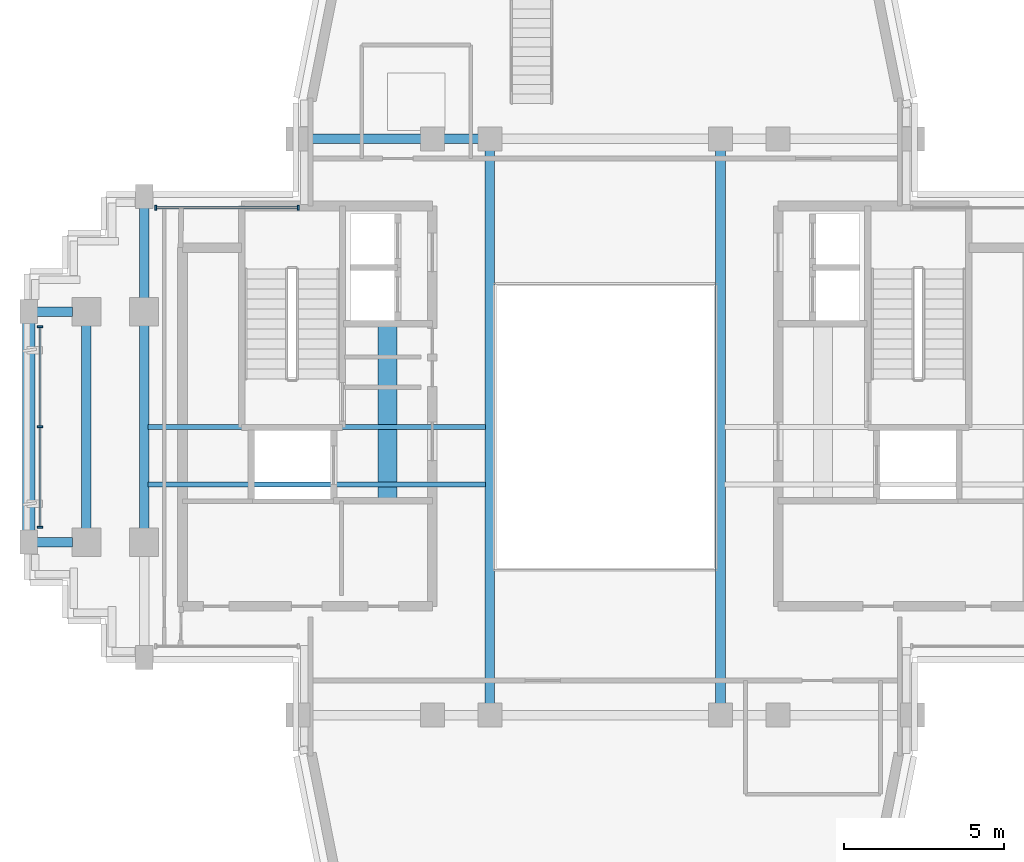
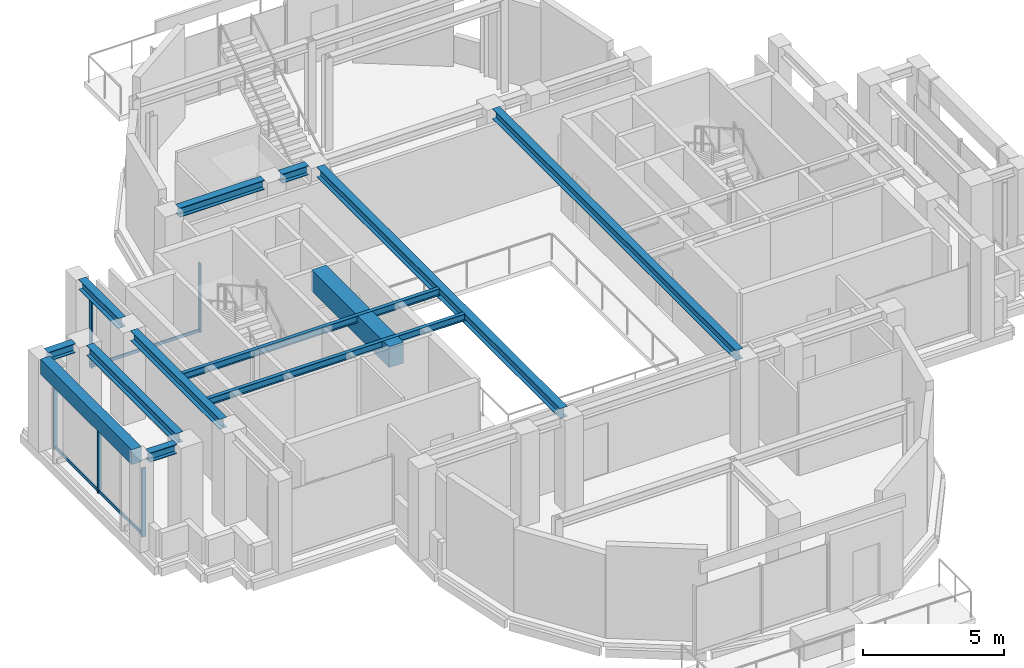
# One storey, part 4 of 14: 13 beams, 8 members, 2 elements without a shape of their own.
"""IFC4 building model written with IfcOpenShell, lengths in metres."""

from ifc_helpers import new_model, si_unit, direction, frame, origin, origin_2d, place, context, subcontext, project, spatial, rectangle, i_section, extrude, source, transform, mapped, material, material_profile, profile_set, type_object, element, aggregate, save


model = new_model("IFC4")

# Units and contexts
model_context = context("Model", 3, precision=1e-05, world=origin(), true_north=direction((0.0, 1.0)))
body_context = subcontext(model_context, "Body", "Model", "MODEL_VIEW")
ifc_project = project(units=[si_unit("LENGTHUNIT", "METRE"), si_unit("AREAUNIT", "SQUARE_METRE"), si_unit("VOLUMEUNIT", "CUBIC_METRE"), si_unit("PLANEANGLEUNIT", "RADIAN"), si_unit("MASSUNIT", "GRAM", prefix="KILO")], contexts=[model_context])

# Site, building, storey
site_placement = place(None, origin())
site = spatial("IfcSite", under=ifc_project, at=site_placement, CompositionType="ELEMENT")
building_placement = place(site_placement, origin())
building = spatial("IfcBuilding", under=site, at=building_placement, Name="Keilestroom Media Tower", CompositionType="ELEMENT")
storey_placement = place(building_placement, frame((0.0, 0.0, 219.39990234375)))
storey = spatial("IfcBuildingStorey", under=building, at=storey_placement, Name="L60", CompositionType="ELEMENT", Elevation=219.39990234375)

# Beams
ifc_material_1 = material(Name="Concrete C70/85", Category="concrete")
ifc_material_profile_1 = material_profile(ifc_material_1, rectangle(XDim=0.60009765625, YDim=0.89990234375, at=origin_2d()), Name="RC 600x900")
ifc_profile_set_1 = profile_set([ifc_material_profile_1], Name="Concrete C70/85")
beam_type_1 = type_object("IfcBeamType", Name="Core-Coupling-Lintel-Beam-RC-600x900", PredefinedType="LINTEL", material=ifc_profile_set_1)
shared_shape_1 = source(origin(), body_context, "Body", "SweptSolid", [
    extrude(rectangle(XDim=0.60009765625, YDim=0.89990234375, at=origin_2d()), origin(), (0.0, 0.0, 1.0), 5.52001953125),
])
beam_1_placement = place(storey_placement, frame((-6.800048828125, -2.300048828125, 3.56005859375), z_axis=(0.0, 1.0, 0.0), x_axis=(-1.0, 0.0, 0.0)))
element("IfcBeam", 1, at=beam_1_placement, inside=storey, type_object=beam_type_1, Name="L60 Beam CLB-1 CLB-L60-W", PredefinedType="LINTEL", context=body_context, shape_type="MappedRepresentation", body=[
    mapped(shared_shape_1, transform((0.0, 0.0, 0.0), x_axis=(1.0, 0.0, 0.0), y_axis=(0.0, 1.0, 0.0), z_axis=(0.0, 0.0, 1.0), scale=1.0)),
])
ifc_material_2 = material(Name="Steel S355", Category="steel")
ifc_material_profile_2 = material_profile(ifc_material_2, i_section(OverallWidth=0.300048828125, OverallDepth=0.39990234375, WebThickness=0.011474609375, FlangeThickness=0.02392578125, at=origin_2d()), Name="HEB 400")
ifc_profile_set_2 = profile_set([ifc_material_profile_2], Name="Steel S355")
beam_type_2 = type_object("IfcBeamType", Name="Primary-Structural-Girder-HEB-400", PredefinedType="BEAM", material=ifc_profile_set_2)
shared_shape_2 = source(origin(), body_context, "Body", "SweptSolid", [
    extrude(i_section(OverallWidth=0.300048828125, OverallDepth=0.39990234375, WebThickness=0.011474609375, FlangeThickness=0.02392578125, at=origin_2d()), origin(), (0.0, 0.0, 1.0), 3.490234375),
])
beam_2_placement = place(storey_placement, frame((-9.2451171875, 9.0, 3.81005859375), z_axis=(1.0, 0.0, 0.0), x_axis=(0.0, 1.0, 0.0)))
element("IfcBeam", 2, at=beam_2_placement, inside=storey, type_object=beam_type_2, Name="L60 Beam BG-8 BM-L60-EW-016", PredefinedType="BEAM", context=body_context, shape_type="MappedRepresentation", body=[
    mapped(shared_shape_2, transform((0.0, 0.0, 0.0), x_axis=(1.0, 0.0, 0.0), y_axis=(0.0, 1.0, 0.0), z_axis=(0.0, 0.0, 1.0), scale=1.0)),
])
shared_shape_3 = source(origin(), body_context, "Body", "SweptSolid", [
    extrude(i_section(OverallWidth=0.300048828125, OverallDepth=0.39990234375, WebThickness=0.011474609375, FlangeThickness=0.02392578125, at=origin_2d()), origin(), (0.0, 0.0, 1.0), 1.08984375),
])
beam_3_placement = place(storey_placement, frame((-5.044921875, 9.0, 3.81005859375), z_axis=(1.0, 0.0, 0.0), x_axis=(0.0, 1.0, 0.0)))
element("IfcBeam", 3, at=beam_3_placement, inside=storey, type_object=beam_type_2, Name="L60 Beam BG-8 BM-L60-EW-017", PredefinedType="BEAM", context=body_context, shape_type="MappedRepresentation", body=[
    mapped(shared_shape_3, transform((0.0, 0.0, 0.0), x_axis=(1.0, 0.0, 0.0), y_axis=(0.0, 1.0, 0.0), z_axis=(0.0, 0.0, 1.0), scale=1.0)),
])
shared_shape_4 = source(origin(), body_context, "Body", "SweptSolid", [
    extrude(i_section(OverallWidth=0.300048828125, OverallDepth=0.39990234375, WebThickness=0.011474609375, FlangeThickness=0.02392578125, at=origin_2d()), origin(), (0.0, 0.0, 1.0), 1.115234375),
])
for number, where, z_axis, x_axis, name in (
    (4, (-17.7451171875, -3.60009765625, 3.81005859375), (1.0, 0.0, 0.0), (0.0, 1.0, 0.0), "L60 Beam BG-8 BM-L60-EW-008"),
    (5, (-17.7451171875, 3.60009765625, 3.81005859375), (1.0, 0.0, 0.0), (0.0, 1.0, 0.0), "L60 Beam BG-8 BM-L60-EW-012"),
):
    element("IfcBeam", number, at=place(storey_placement, frame(where, z_axis=z_axis, x_axis=x_axis)), inside=storey, type_object=beam_type_2, Name=name, PredefinedType="BEAM", context=body_context, shape_type="MappedRepresentation", body=[
        mapped(shared_shape_4, transform((0.0, 0.0, 0.0), x_axis=(1.0, 0.0, 0.0), y_axis=(0.0, 1.0, 0.0), z_axis=(0.0, 0.0, 1.0), scale=1.0)),
    ])
ifc_material_3 = material(Name="Precast concrete C40/50", Category="concrete")
ifc_material_profile_3 = material_profile(ifc_material_3, rectangle(XDim=0.39990234375, YDim=0.64990234375, at=origin_2d()), Name="PC 400x650")
ifc_profile_set_3 = profile_set([ifc_material_profile_3], Name="Precast concrete C40/50")
beam_type_3 = type_object("IfcBeamType", Name="Perimeter-Spandrel-Beam-PC-400x650", PredefinedType="SPANDREL", material=ifc_profile_set_3)
shared_shape_5 = source(origin(), body_context, "Body", "SweptSolid", [
    extrude(rectangle(XDim=0.39990234375, YDim=0.64990234375, at=origin_2d()), origin(), (0.0, 0.0, 1.0), 6.490234375),
])
beam_4_placement = place(storey_placement, frame((-18.0, -3.2451171875, 3.68505859375), z_axis=(0.0, 1.0, 0.0), x_axis=(-1.0, 0.0, 0.0)))
element("IfcBeam", 6, at=beam_4_placement, inside=storey, type_object=beam_type_3, Name="L60 Beam SPB-2 BM-L60-NS-025", PredefinedType="SPANDREL", context=body_context, shape_type="MappedRepresentation", body=[
    mapped(shared_shape_5, transform((0.0, 0.0, 0.0), x_axis=(1.0, 0.0, 0.0), y_axis=(0.0, 1.0, 0.0), z_axis=(0.0, 0.0, 1.0), scale=1.0)),
])
ifc_material_profile_4 = material_profile(ifc_material_2, i_section(OverallWidth=0.300048828125, OverallDepth=0.43994140625, WebThickness=0.011474609375, FlangeThickness=0.02099609375, at=origin_2d()), Name="HEA 450")
ifc_profile_set_4 = profile_set([ifc_material_profile_4], Name="Steel S355")
beam_type_4 = type_object("IfcBeamType", Name="Primary-Structural-Girder-HEA-450", PredefinedType="BEAM", material=ifc_profile_set_4)
shared_shape_6 = source(origin(), body_context, "Body", "SweptSolid", [
    extrude(i_section(OverallWidth=0.300048828125, OverallDepth=0.43994140625, WebThickness=0.011474609375, FlangeThickness=0.02099609375, at=origin_2d()), origin(), (0.0, 0.0, 1.0), 6.33984375),
])
for number, where, z_axis, x_axis, name in (
    (7, (-16.199951171875, -3.169921875, 3.7900390625), (0.0, 1.0, 0.0), (-1.0, 0.0, 0.0), "L60 Beam BG-11 BM-L60-NS-026"),
    (8, (-14.39990234375, -3.169921875, 3.7900390625), (0.0, 1.0, 0.0), (-1.0, 0.0, 0.0), "L60 Beam BG-11 BM-L60-NS-028"),
):
    element("IfcBeam", number, at=place(storey_placement, frame(where, z_axis=z_axis, x_axis=x_axis)), inside=storey, type_object=beam_type_4, Name=name, PredefinedType="BEAM", context=body_context, shape_type="MappedRepresentation", body=[
        mapped(shared_shape_6, transform((0.0, 0.0, 0.0), x_axis=(1.0, 0.0, 0.0), y_axis=(0.0, 1.0, 0.0), z_axis=(0.0, 0.0, 1.0), scale=1.0)),
    ])
shared_shape_7 = source(origin(), body_context, "Body", "SweptSolid", [
    extrude(i_section(OverallWidth=0.300048828125, OverallDepth=0.43994140625, WebThickness=0.011474609375, FlangeThickness=0.02099609375, at=origin_2d()), origin(), (0.0, 0.0, 1.0), 2.81494140625),
])
beam_5_placement = place(storey_placement, frame((-14.39990234375, 4.030029296875, 3.7900390625), z_axis=(0.0, 1.0, 0.0), x_axis=(-1.0, 0.0, 0.0)))
element("IfcBeam", 9, at=beam_5_placement, inside=storey, type_object=beam_type_4, Name="L60 Beam BG-11 BM-L60-NS-029", PredefinedType="BEAM", context=body_context, shape_type="MappedRepresentation", body=[
    mapped(shared_shape_7, transform((0.0, 0.0, 0.0), x_axis=(1.0, 0.0, 0.0), y_axis=(0.0, 1.0, 0.0), z_axis=(0.0, 0.0, 1.0), scale=1.0)),
])
shared_shape_8 = source(origin(), body_context, "Body", "SweptSolid", [
    extrude(i_section(OverallWidth=0.300048828125, OverallDepth=0.43994140625, WebThickness=0.011474609375, FlangeThickness=0.02099609375, at=origin_2d()), origin(), (0.0, 0.0, 1.0), 17.2900390625),
])
for number, where, z_axis, x_axis, name in (
    (10, (-3.60009765625, -8.64501953125, 3.7900390625), (0.0, 1.0, 0.0), (-1.0, 0.0, 0.0), "L60 Beam BG-11 BM-L60-NS-033"),
    (11, (3.60009765625, -8.64501953125, 3.7900390625), (0.0, 1.0, 0.0), (-1.0, 0.0, 0.0), "L60 Beam BG-11 BM-L60-NS-036"),
):
    element("IfcBeam", number, at=place(storey_placement, frame(where, z_axis=z_axis, x_axis=x_axis)), inside=storey, type_object=beam_type_4, Name=name, PredefinedType="BEAM", context=body_context, shape_type="MappedRepresentation", body=[
        mapped(shared_shape_8, transform((0.0, 0.0, 0.0), x_axis=(1.0, 0.0, 0.0), y_axis=(0.0, 1.0, 0.0), z_axis=(0.0, 0.0, 1.0), scale=1.0)),
    ])
ifc_material_profile_5 = material_profile(ifc_material_2, i_section(OverallWidth=0.14990234375, OverallDepth=0.300048828125, WebThickness=0.007080078125, FlangeThickness=0.0107421875, at=origin_2d()), Name="IPE 300")
ifc_profile_set_5 = profile_set([ifc_material_profile_5], Name="Steel S355")
beam_type_5 = type_object("IfcBeamType", Name="Secondary-Floor-Joist-IPE-300", PredefinedType="JOIST", material=ifc_profile_set_5)
shared_shape_9 = source(origin(), body_context, "Body", "SweptSolid", [
    extrude(i_section(OverallWidth=0.14990234375, OverallDepth=0.300048828125, WebThickness=0.007080078125, FlangeThickness=0.0107421875, at=origin_2d()), origin(), (0.0, 0.0, 1.0), 10.5400390625),
])
for number, where, z_axis, x_axis, name in (
    (12, (-14.27001953125, -1.800048828125, 3.860107421875), (1.0, 0.0, 0.0), (0.0, 1.0, 0.0), "L60 Beam BJ-7 JST-L60-045"),
    (13, (-14.27001953125, 0.0, 3.860107421875), (1.0, 0.0, 0.0), (0.0, 1.0, 0.0), "L60 Beam BJ-7 JST-L60-048"),
):
    element("IfcBeam", number, at=place(storey_placement, frame(where, z_axis=z_axis, x_axis=x_axis)), inside=storey, type_object=beam_type_5, Name=name, PredefinedType="JOIST", context=body_context, shape_type="MappedRepresentation", body=[
        mapped(shared_shape_9, transform((0.0, 0.0, 0.0), x_axis=(1.0, 0.0, 0.0), y_axis=(0.0, 1.0, 0.0), z_axis=(0.0, 0.0, 1.0), scale=1.0)),
    ])

# Curtain wall, members
ifc_material_4 = material(Name="Anodised Aluminium Alloy", Category="aluminium")
curtain_wall_type = type_object("IfcCurtainWallType", Name="Unitised-Curtain-Wall-CW-4", PredefinedType="NOTDEFINED", material=ifc_material_4)
curtain_wall_1_placement = place(storey_placement, origin())
curtain_wall_1 = element("IfcCurtainWall", 14, at=curtain_wall_1_placement, inside=storey, type_object=curtain_wall_type, Name="L60 Curtain Wall CW-4 CW-L60-W-1", PredefinedType="NOTDEFINED")
ifc_material_profile_6 = material_profile(ifc_material_4, rectangle(XDim=0.06005859375, YDim=0.159912109375, at=origin_2d()), Name="ALU MULLION 60x160")
ifc_profile_set_6 = profile_set([ifc_material_profile_6], Name="Anodised Aluminium Alloy")
member_type_1 = type_object("IfcMemberType", Name="Curtain-Wall-Mullion-CW-4", PredefinedType="MULLION", material=ifc_profile_set_6)
shared_shape_10 = source(origin(), body_context, "Body", "SweptSolid", [
    extrude(rectangle(XDim=0.06005859375, YDim=0.159912109375, at=origin_2d()), origin(), (0.0, 0.0, 1.0), 2.97998046875),
])
member_1_placement = place(storey_placement, frame((-17.64990234375, -3.135009765625, 0.0), z_axis=(0.0, 0.0, 1.0), x_axis=(0.0, 1.0, 0.0)))
member_1 = element("IfcMember", 15, at=member_1_placement, type_object=member_type_1, Name="CW-4 Mullion 00", PredefinedType="MULLION", context=body_context, shape_type="MappedRepresentation", body=[
    mapped(shared_shape_10, transform((0.0, 0.0, 0.0), x_axis=(1.0, 0.0, 0.0), y_axis=(0.0, 1.0, 0.0), z_axis=(0.0, 0.0, 1.0), scale=1.0)),
])
member_2_placement = place(storey_placement, frame((-17.64990234375, 0.0, 0.0), z_axis=(0.0, 0.0, 1.0), x_axis=(0.0, 1.0, 0.0)))
member_2 = element("IfcMember", 16, at=member_2_placement, type_object=member_type_1, Name="CW-4 Mullion 01", PredefinedType="MULLION", context=body_context, shape_type="MappedRepresentation", body=[
    mapped(shared_shape_10, transform((0.0, 0.0, 0.0), x_axis=(1.0, 0.0, 0.0), y_axis=(0.0, 1.0, 0.0), z_axis=(0.0, 0.0, 1.0), scale=1.0)),
])
member_3_placement = place(storey_placement, frame((-17.64990234375, 3.135009765625, 0.0), z_axis=(0.0, 0.0, 1.0), x_axis=(0.0, 1.0, 0.0)))
member_3 = element("IfcMember", 17, at=member_3_placement, type_object=member_type_1, Name="CW-4 Mullion 02", PredefinedType="MULLION", context=body_context, shape_type="MappedRepresentation", body=[
    mapped(shared_shape_10, transform((0.0, 0.0, 0.0), x_axis=(1.0, 0.0, 0.0), y_axis=(0.0, 1.0, 0.0), z_axis=(0.0, 0.0, 1.0), scale=1.0)),
])

curtain_wall_2_placement = place(storey_placement, origin())
curtain_wall_2 = element("IfcCurtainWall", 18, at=curtain_wall_2_placement, inside=storey, type_object=curtain_wall_type, Name="L60 Curtain Wall CW-4 CW-L60-NW-1", PredefinedType="NOTDEFINED")
member_4_placement = place(storey_placement, frame((-14.034912109375, 6.85009765625, 0.0), z_axis=(0.0, 0.0, 1.0), x_axis=(1.0, 0.0, 0.0)))
member_4 = element("IfcMember", 19, at=member_4_placement, type_object=member_type_1, Name="CW-4 Mullion 00", PredefinedType="MULLION", context=body_context, shape_type="MappedRepresentation", body=[
    mapped(shared_shape_10, transform((0.0, 0.0, 0.0), x_axis=(1.0, 0.0, 0.0), y_axis=(0.0, 1.0, 0.0), z_axis=(0.0, 0.0, 1.0), scale=1.0)),
])
member_5_placement = place(storey_placement, frame((-9.580078125, 6.85009765625, 0.0), z_axis=(0.0, 0.0, 1.0), x_axis=(1.0, 0.0, 0.0)))
member_5 = element("IfcMember", 20, at=member_5_placement, type_object=member_type_1, Name="CW-4 Mullion 01", PredefinedType="MULLION", context=body_context, shape_type="MappedRepresentation", body=[
    mapped(shared_shape_10, transform((0.0, 0.0, 0.0), x_axis=(1.0, 0.0, 0.0), y_axis=(0.0, 1.0, 0.0), z_axis=(0.0, 0.0, 1.0), scale=1.0)),
])

# Member
ifc_material_profile_7 = material_profile(ifc_material_4, rectangle(XDim=0.06005859375, YDim=0.1298828125, at=origin_2d()), Name="ALU TRANSOM 60x130")
ifc_profile_set_7 = profile_set([ifc_material_profile_7], Name="Anodised Aluminium Alloy")
member_type_2 = type_object("IfcMemberType", Name="Curtain-Wall-Transom-CW-4", PredefinedType="USERDEFINED", material=ifc_profile_set_7)
shared_shape_11 = source(origin(), body_context, "Body", "SweptSolid", [
    extrude(rectangle(XDim=0.06005859375, YDim=0.1298828125, at=origin_2d()), origin(), (0.0, 0.0, 1.0), 3.078857421875),
])
member_6_placement = place(storey_placement, frame((-17.64990234375, -3.10693359375, 0.065185546875), z_axis=(0.0, 1.0, 0.0), x_axis=(-1.0, 0.0, 0.0)))
member_6 = element("IfcMember", 21, at=member_6_placement, type_object=member_type_2, Name="CW-4 Transom 00.1", ObjectType="TRANSOM", PredefinedType="USERDEFINED", context=body_context, shape_type="MappedRepresentation", body=[
    mapped(shared_shape_11, transform((0.0, 0.0, 0.0), x_axis=(1.0, 0.0, 0.0), y_axis=(0.0, 1.0, 0.0), z_axis=(0.0, 0.0, 1.0), scale=1.0)),
])

member_7_placement = place(storey_placement, frame((-17.64990234375, 0.028076171875, 0.065185546875), z_axis=(0.0, 1.0, 0.0), x_axis=(-1.0, 0.0, 0.0)))
member_7 = element("IfcMember", 22, at=member_7_placement, type_object=member_type_2, Name="CW-4 Transom 01.1", ObjectType="TRANSOM", PredefinedType="USERDEFINED", context=body_context, shape_type="MappedRepresentation", body=[
    mapped(shared_shape_11, transform((0.0, 0.0, 0.0), x_axis=(1.0, 0.0, 0.0), y_axis=(0.0, 1.0, 0.0), z_axis=(0.0, 0.0, 1.0), scale=1.0)),
])

aggregate(curtain_wall_1, [member_1, member_2, member_3, member_6, member_7])

shared_shape_12 = source(origin(), body_context, "Body", "SweptSolid", [
    extrude(rectangle(XDim=0.06005859375, YDim=0.1298828125, at=origin_2d()), origin(), (0.0, 0.0, 1.0), 4.399169921875),
])
member_8_placement = place(storey_placement, frame((-14.007080078125, 6.85009765625, 0.065185546875), z_axis=(1.0, 0.0, 0.0), x_axis=(0.0, 1.0, 0.0)))
member_8 = element("IfcMember", 23, at=member_8_placement, type_object=member_type_2, Name="CW-4 Transom 00.1", ObjectType="TRANSOM", PredefinedType="USERDEFINED", context=body_context, shape_type="MappedRepresentation", body=[
    mapped(shared_shape_12, transform((0.0, 0.0, 0.0), x_axis=(1.0, 0.0, 0.0), y_axis=(0.0, 1.0, 0.0), z_axis=(0.0, 0.0, 1.0), scale=1.0)),
])

aggregate(curtain_wall_2, [member_4, member_5, member_8])

save(model, "model.ifc")
